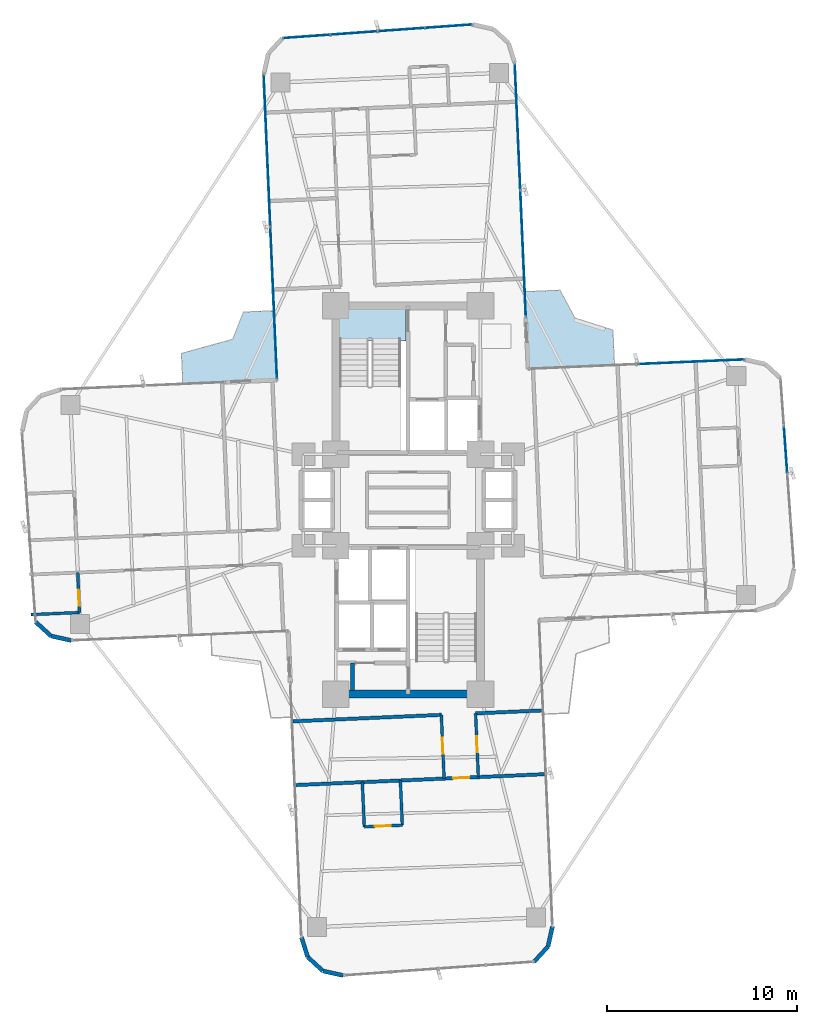
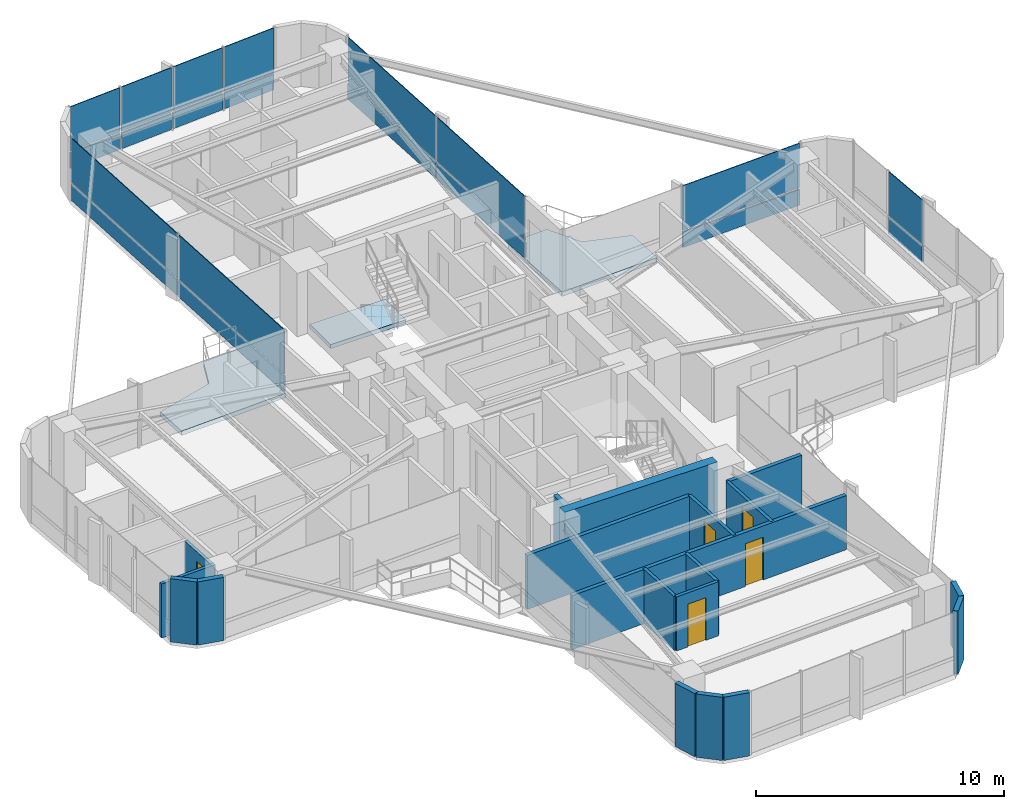
# One storey, part 22 of 26: 20 plates, 19 walls, 5 doors, 3 slabs, 5 openings, 5 elements without a shape of their own.
"""IFC4 building model written with IfcOpenShell, lengths in metres."""

from ifc_helpers import new_model, si_unit, direction, frame, frame_2d, origin, origin_2d, place, context, subcontext, project, spatial, polyline, rectangle, outline, extrude, source, transform, mapped, material, layer, layer_set, type_object, element, fill, aggregate, save


model = new_model("IFC4")

# Units and contexts
model_context = context("Model", 3, precision=1e-05, world=origin(), true_north=direction((0.0, 1.0)))
body_context = subcontext(model_context, "Body", "Model", "MODEL_VIEW")
ifc_project = project(units=[si_unit("LENGTHUNIT", "METRE"), si_unit("AREAUNIT", "SQUARE_METRE"), si_unit("VOLUMEUNIT", "CUBIC_METRE"), si_unit("PLANEANGLEUNIT", "RADIAN"), si_unit("MASSUNIT", "GRAM", prefix="KILO")], contexts=[model_context])

# Site, building, storey
site_placement = place(None, origin())
site = spatial("IfcSite", under=ifc_project, at=site_placement, CompositionType="ELEMENT")
building_placement = place(site_placement, origin())
building = spatial("IfcBuilding", under=site, at=building_placement, Name="Sahyath Konkavel Grand Hotel", CompositionType="ELEMENT")
storey_placement = place(building_placement, frame((0.0, 0.0, 100.25)))
storey = spatial("IfcBuildingStorey", under=building, at=storey_placement, Name="L27", CompositionType="ELEMENT", Elevation=100.25)

# Slabs
ifc_material_1 = material(Name="Concrete C40/50", Category="concrete")
ifc_layer_1 = layer(ifc_material_1, 0.219970703125)
ifc_layer_set_1 = layer_set([ifc_layer_1], Name="Concrete C40/50")
slab_type_1 = type_object("IfcSlabType", Name="SLB-BALCONY-220", PredefinedType="FLOOR", material=ifc_layer_set_1)
slab_1_placement = place(storey_placement, frame((0.0, 0.0, -0.219970703125)))
element("IfcSlab", 1, at=slab_1_placement, inside=storey, type_object=slab_type_1, Name="L27 Winter-Garden Balcony NE", PredefinedType="FLOOR", context=body_context, shape_type="SweptSolid", body=[
    extrude(outline(polyline([(6.305908203125, 6.881591796875), (10.83837890625, 7.07958984375), (10.7578125, 8.926025390625), (8.75830078125, 9.55810546875), (7.97509765625, 11.021484375), (6.128662109375, 10.940673828125), (6.305908203125, 6.881591796875)])), origin(), (0.0, 0.0, 1.0), 0.219970703125),
])
slab_2_placement = place(storey_placement, frame((0.0, 0.0, -0.219970703125)))
element("IfcSlab", 2, at=slab_2_placement, inside=storey, type_object=slab_type_1, Name="L27 Winter-Garden Balcony NW", PredefinedType="FLOOR", context=body_context, shape_type="SweptSolid", body=[
    extrude(outline(polyline([(-6.881591796875, 6.305908203125), (-7.040283203125, 9.943359375), (-8.648681640625, 9.873046875), (-9.212890625, 8.442138671875), (-11.906005859375, 7.697998046875), (-11.8359375, 6.089599609375), (-6.881591796875, 6.305908203125)])), origin(), (0.0, 0.0, 1.0), 0.219970703125),
])
ifc_layer_2 = layer(ifc_material_1, 0.199951171875)
ifc_layer_set_2 = layer_set([ifc_layer_2], Name="Concrete C40/50")
slab_type_2 = type_object("IfcSlabType", Name="SLB-STAIR-LND", PredefinedType="LANDING", material=ifc_layer_set_2)
slab_3_placement = place(storey_placement, frame((0.0, 0.0, -0.199951171875)))
element("IfcSlab", 3, at=slab_3_placement, inside=storey, type_object=slab_type_2, Name="L27 Stair ST-1 Floor Landing Slab", PredefinedType="LANDING", context=body_context, shape_type="SweptSolid", body=[
    extrude(outline(polyline([(-3.6201171875, 8.35009765625), (-0.10009765625, 8.35009765625), (-0.10009765625, 10.02001953125), (-3.6201171875, 10.02001953125), (-3.6201171875, 8.35009765625)])), origin(), (0.0, 0.0, 1.0), 0.199951171875),
])

# Curtain wall, plate
ifc_material_2 = material(Name="Anodised Bronze Aluminium & Low-E Glazing", Category="aluminium")
curtain_wall_type = type_object("IfcCurtainWallType", Name="CW-ZONE2", PredefinedType="NOTDEFINED", material=ifc_material_2)
curtain_wall_1_placement = place(storey_placement, origin())
curtain_wall_1 = element("IfcCurtainWall", 4, at=curtain_wall_1_placement, inside=storey, type_object=curtain_wall_type, Name="L27 Unitised Curtain Wall F4", PredefinedType="NOTDEFINED")
ifc_material_3 = material(Name="Warm Buff Sandstone Cladding", Category="masonry")
ifc_layer_3 = layer(ifc_material_3, 0.074951171875)
ifc_layer_set_3 = layer_set([ifc_layer_3], Name="Warm Buff Sandstone Cladding")
plate_type_1 = type_object("IfcPlateType", Name="PNL-SPANDREL-STONE", PredefinedType="SHEET", material=ifc_layer_set_3)
shared_shape_1 = source(origin(), body_context, "Body", "SweptSolid", [
    extrude(rectangle(XDim=2.41357421875, YDim=0.074951171875, at=origin_2d()), origin(), (0.0, 0.0, 1.0), 0.77001953125),
])
plate_1_placement = place(storey_placement, frame((19.828369140625, 2.638671875, 0.0400390625), z_axis=(0.0, 0.0, 1.0), x_axis=(-0.071567078661, 0.997435789037, 0.0)))
plate_1 = element("IfcPlate", 5, at=plate_1_placement, type_object=plate_type_1, Name="L27 Sandstone Relief Spandrel Panel F4-2", PredefinedType="SHEET", context=body_context, shape_type="MappedRepresentation", body=[
    mapped(shared_shape_1, transform((0.0, 0.0, 0.0), scale=1.0)),
])

# Curtain wall, plates
curtain_wall_2_placement = place(storey_placement, origin())
curtain_wall_2 = element("IfcCurtainWall", 6, at=curtain_wall_2_placement, inside=storey, type_object=curtain_wall_type, Name="L27 Unitised Curtain Wall F12", PredefinedType="NOTDEFINED")
plate_2_placement = place(storey_placement, frame((2.130615234375, 24.880615234375, 0.0400390625), z_axis=(0.0, 0.0, 1.0), x_axis=(-0.997435789037, -0.071567078661, 0.0)))
plate_2 = element("IfcPlate", 7, at=plate_2_placement, type_object=plate_type_1, Name="L27 Sandstone Relief Spandrel Panel F12-0", PredefinedType="SHEET", context=body_context, shape_type="MappedRepresentation", body=[
    mapped(shared_shape_1, transform((0.0, 0.0, 0.0), scale=1.0)),
])
plate_3_placement = place(storey_placement, frame((-0.356689453125, 24.7021484375, 0.0400390625), z_axis=(0.0, 0.0, 1.0), x_axis=(-0.997435789037, -0.071567078661, 0.0)))
plate_3 = element("IfcPlate", 8, at=plate_3_placement, type_object=plate_type_1, Name="L27 Sandstone Relief Spandrel Panel F12-1", PredefinedType="SHEET", context=body_context, shape_type="MappedRepresentation", body=[
    mapped(shared_shape_1, transform((0.0, 0.0, 0.0), scale=1.0)),
])
plate_4_placement = place(storey_placement, frame((-2.84375, 24.523681640625, 0.0400390625), z_axis=(0.0, 0.0, 1.0), x_axis=(-0.997435789037, -0.071567078661, 0.0)))
plate_4 = element("IfcPlate", 9, at=plate_4_placement, type_object=plate_type_1, Name="L27 Sandstone Relief Spandrel Panel F12-2", PredefinedType="SHEET", context=body_context, shape_type="MappedRepresentation", body=[
    mapped(shared_shape_1, transform((0.0, 0.0, 0.0), scale=1.0)),
])
plate_5_placement = place(storey_placement, frame((-5.330810546875, 24.34521484375, 0.0400390625), z_axis=(0.0, 0.0, 1.0), x_axis=(-0.997435789037, -0.071567078661, 0.0)))
plate_5 = element("IfcPlate", 10, at=plate_5_placement, type_object=plate_type_1, Name="L27 Sandstone Relief Spandrel Panel F12-3", PredefinedType="SHEET", context=body_context, shape_type="MappedRepresentation", body=[
    mapped(shared_shape_1, transform((0.0, 0.0, 0.0), scale=1.0)),
])

# Curtain wall, plate
curtain_wall_3_placement = place(storey_placement, origin())
curtain_wall_3 = element("IfcCurtainWall", 11, at=curtain_wall_3_placement, inside=storey, type_object=curtain_wall_type, Name="L27 Unitised Curtain Wall F7", PredefinedType="NOTDEFINED")
shared_shape_2 = source(origin(), body_context, "Body", "SweptSolid", [
    extrude(rectangle(XDim=5.580078125, YDim=0.074951171875, at=origin_2d()), origin(), (0.0, 0.0, 1.0), 0.77001953125),
])
plate_6_placement = place(storey_placement, frame((14.82763671875, 7.25390625, 0.0400390625), z_axis=(0.0, 0.0, 1.0), x_axis=(-0.999048221582, -0.043619387365, 0.0)))
plate_6 = element("IfcPlate", 12, at=plate_6_placement, type_object=plate_type_1, Name="L27 Sandstone Relief Spandrel Panel F7-0", PredefinedType="SHEET", context=body_context, shape_type="MappedRepresentation", body=[
    mapped(shared_shape_2, transform((0.0, 0.0, 0.0), scale=1.0)),
])

# Curtain wall, plates
curtain_wall_4_placement = place(storey_placement, origin())
curtain_wall_4 = element("IfcCurtainWall", 13, at=curtain_wall_4_placement, inside=storey, type_object=curtain_wall_type, Name="L27 Unitised Curtain Wall F8", PredefinedType="NOTDEFINED")
shared_shape_3 = source(origin(), body_context, "Body", "SweptSolid", [
    extrude(rectangle(XDim=6.580078125, YDim=0.074951171875, at=origin_2d()), origin(), (0.0, 0.0, 1.0), 0.77001953125),
])
plate_7_placement = place(storey_placement, frame((6.041015625, 12.94580078125, 0.0400390625), z_axis=(0.0, 0.0, 1.0), x_axis=(-0.043619387365, 0.999048221582, 0.0)))
plate_7 = element("IfcPlate", 14, at=plate_7_placement, type_object=plate_type_1, Name="L27 Sandstone Relief Spandrel Panel F8-0", PredefinedType="SHEET", context=body_context, shape_type="MappedRepresentation", body=[
    mapped(shared_shape_3, transform((0.0, 0.0, 0.0), scale=1.0)),
])
plate_8_placement = place(storey_placement, frame((5.75048828125, 19.599609375, 0.0400390625), z_axis=(0.0, 0.0, 1.0), x_axis=(-0.043619387365, 0.999048221582, 0.0)))
plate_8 = element("IfcPlate", 15, at=plate_8_placement, type_object=plate_type_1, Name="L27 Sandstone Relief Spandrel Panel F8-1", PredefinedType="SHEET", context=body_context, shape_type="MappedRepresentation", body=[
    mapped(shared_shape_3, transform((0.0, 0.0, 0.0), scale=1.0)),
])

curtain_wall_5_placement = place(storey_placement, origin())
curtain_wall_5 = element("IfcCurtainWall", 16, at=curtain_wall_5_placement, inside=storey, type_object=curtain_wall_type, Name="L27 Unitised Curtain Wall F15", PredefinedType="NOTDEFINED")
shared_shape_4 = source(origin(), body_context, "Body", "SweptSolid", [
    extrude(rectangle(XDim=7.929931640625, YDim=0.074951171875, at=origin_2d()), origin(), (0.0, 0.0, 1.0), 0.77001953125),
])
plate_9_placement = place(storey_placement, frame((-7.407470703125, 18.349365234375, 0.0400390625), z_axis=(0.0, 0.0, 1.0), x_axis=(0.043619387365, -0.999048221582, 0.0)))
plate_9 = element("IfcPlate", 17, at=plate_9_placement, type_object=plate_type_1, Name="L27 Sandstone Relief Spandrel Panel F15-0", PredefinedType="SHEET", context=body_context, shape_type="MappedRepresentation", body=[
    mapped(shared_shape_4, transform((0.0, 0.0, 0.0), scale=1.0)),
])
plate_10_placement = place(storey_placement, frame((-7.05810546875, 10.346923828125, 0.0400390625), z_axis=(0.0, 0.0, 1.0), x_axis=(0.043619387365, -0.999048221582, 0.0)))
plate_10 = element("IfcPlate", 18, at=plate_10_placement, type_object=plate_type_1, Name="L27 Sandstone Relief Spandrel Panel F15-1", PredefinedType="SHEET", context=body_context, shape_type="MappedRepresentation", body=[
    mapped(shared_shape_4, transform((0.0, 0.0, 0.0), scale=1.0)),
])

# Plate
ifc_material_4 = material(Name="Low-E Solar Control Double Glazing", Category="glass")
ifc_layer_4 = layer(ifc_material_4, 0.035888671875)
ifc_layer_set_4 = layer_set([ifc_layer_4], Name="Low-E Solar Control Double Glazing")
plate_type_2 = type_object("IfcPlateType", Name="PNL-VISION-LOWE", PredefinedType="CURTAIN_PANEL", material=ifc_layer_set_4)
shared_shape_5 = source(origin(), body_context, "Body", "SweptSolid", [
    extrude(rectangle(XDim=2.41357421875, YDim=0.035888671875, at=origin_2d()), origin(), (0.0, 0.0, 1.0), 2.179931640625),
])
plate_11_placement = place(storey_placement, frame((19.828369140625, 2.638671875, 0.89013671875), z_axis=(0.0, 0.0, 1.0), x_axis=(-0.071567078661, 0.997435789037, 0.0)))
plate_11 = element("IfcPlate", 19, at=plate_11_placement, type_object=plate_type_2, Name="L27 Low-E Vision Glazing Panel F4-2", PredefinedType="CURTAIN_PANEL", context=body_context, shape_type="MappedRepresentation", body=[
    mapped(shared_shape_5, transform((0.0, 0.0, 0.0), scale=1.0)),
])

aggregate(curtain_wall_1, [plate_1, plate_11])

plate_12_placement = place(storey_placement, frame((2.130615234375, 24.880615234375, 0.89013671875), z_axis=(0.0, 0.0, 1.0), x_axis=(-0.997435789037, -0.071567078661, 0.0)))
plate_12 = element("IfcPlate", 20, at=plate_12_placement, type_object=plate_type_2, Name="L27 Low-E Vision Glazing Panel F12-0", PredefinedType="CURTAIN_PANEL", context=body_context, shape_type="MappedRepresentation", body=[
    mapped(shared_shape_5, transform((0.0, 0.0, 0.0), scale=1.0)),
])

plate_13_placement = place(storey_placement, frame((-0.356689453125, 24.7021484375, 0.89013671875), z_axis=(0.0, 0.0, 1.0), x_axis=(-0.997435789037, -0.071567078661, 0.0)))
plate_13 = element("IfcPlate", 21, at=plate_13_placement, type_object=plate_type_2, Name="L27 Low-E Vision Glazing Panel F12-1", PredefinedType="CURTAIN_PANEL", context=body_context, shape_type="MappedRepresentation", body=[
    mapped(shared_shape_5, transform((0.0, 0.0, 0.0), scale=1.0)),
])

plate_14_placement = place(storey_placement, frame((-2.84375, 24.523681640625, 0.89013671875), z_axis=(0.0, 0.0, 1.0), x_axis=(-0.997435789037, -0.071567078661, 0.0)))
plate_14 = element("IfcPlate", 22, at=plate_14_placement, type_object=plate_type_2, Name="L27 Low-E Vision Glazing Panel F12-2", PredefinedType="CURTAIN_PANEL", context=body_context, shape_type="MappedRepresentation", body=[
    mapped(shared_shape_5, transform((0.0, 0.0, 0.0), scale=1.0)),
])

plate_15_placement = place(storey_placement, frame((-5.330810546875, 24.34521484375, 0.89013671875), z_axis=(0.0, 0.0, 1.0), x_axis=(-0.997435789037, -0.071567078661, 0.0)))
plate_15 = element("IfcPlate", 23, at=plate_15_placement, type_object=plate_type_2, Name="L27 Low-E Vision Glazing Panel F12-3", PredefinedType="CURTAIN_PANEL", context=body_context, shape_type="MappedRepresentation", body=[
    mapped(shared_shape_5, transform((0.0, 0.0, 0.0), scale=1.0)),
])

aggregate(curtain_wall_2, [plate_2, plate_12, plate_3, plate_13, plate_4, plate_14, plate_5, plate_15])

shared_shape_6 = source(origin(), body_context, "Body", "SweptSolid", [
    extrude(rectangle(XDim=5.580078125, YDim=0.035888671875, at=origin_2d()), origin(), (0.0, 0.0, 1.0), 2.179931640625),
])
plate_16_placement = place(storey_placement, frame((14.82763671875, 7.25390625, 0.89013671875), z_axis=(0.0, 0.0, 1.0), x_axis=(-0.999048221582, -0.043619387365, 0.0)))
plate_16 = element("IfcPlate", 24, at=plate_16_placement, type_object=plate_type_2, Name="L27 Low-E Vision Glazing Panel F7-0", PredefinedType="CURTAIN_PANEL", context=body_context, shape_type="MappedRepresentation", body=[
    mapped(shared_shape_6, transform((0.0, 0.0, 0.0), scale=1.0)),
])

aggregate(curtain_wall_3, [plate_6, plate_16])

shared_shape_7 = source(origin(), body_context, "Body", "SweptSolid", [
    extrude(rectangle(XDim=6.580078125, YDim=0.035888671875, at=origin_2d()), origin(), (0.0, 0.0, 1.0), 2.179931640625),
])
plate_17_placement = place(storey_placement, frame((6.041015625, 12.94580078125, 0.89013671875), z_axis=(0.0, 0.0, 1.0), x_axis=(-0.043619387365, 0.999048221582, 0.0)))
plate_17 = element("IfcPlate", 25, at=plate_17_placement, type_object=plate_type_2, Name="L27 Low-E Vision Glazing Panel F8-0", PredefinedType="CURTAIN_PANEL", context=body_context, shape_type="MappedRepresentation", body=[
    mapped(shared_shape_7, transform((0.0, 0.0, 0.0), scale=1.0)),
])

plate_18_placement = place(storey_placement, frame((5.75048828125, 19.599609375, 0.89013671875), z_axis=(0.0, 0.0, 1.0), x_axis=(-0.043619387365, 0.999048221582, 0.0)))
plate_18 = element("IfcPlate", 26, at=plate_18_placement, type_object=plate_type_2, Name="L27 Low-E Vision Glazing Panel F8-1", PredefinedType="CURTAIN_PANEL", context=body_context, shape_type="MappedRepresentation", body=[
    mapped(shared_shape_7, transform((0.0, 0.0, 0.0), scale=1.0)),
])

aggregate(curtain_wall_4, [plate_7, plate_17, plate_8, plate_18])

shared_shape_8 = source(origin(), body_context, "Body", "SweptSolid", [
    extrude(rectangle(XDim=7.929931640625, YDim=0.035888671875, at=origin_2d()), origin(), (0.0, 0.0, 1.0), 2.179931640625),
])
plate_19_placement = place(storey_placement, frame((-7.407470703125, 18.349365234375, 0.89013671875), z_axis=(0.0, 0.0, 1.0), x_axis=(0.043619387365, -0.999048221582, 0.0)))
plate_19 = element("IfcPlate", 27, at=plate_19_placement, type_object=plate_type_2, Name="L27 Low-E Vision Glazing Panel F15-0", PredefinedType="CURTAIN_PANEL", context=body_context, shape_type="MappedRepresentation", body=[
    mapped(shared_shape_8, transform((0.0, 0.0, 0.0), scale=1.0)),
])

plate_20_placement = place(storey_placement, frame((-7.05810546875, 10.346923828125, 0.89013671875), z_axis=(0.0, 0.0, 1.0), x_axis=(0.043619387365, -0.999048221582, 0.0)))
plate_20 = element("IfcPlate", 28, at=plate_20_placement, type_object=plate_type_2, Name="L27 Low-E Vision Glazing Panel F15-1", PredefinedType="CURTAIN_PANEL", context=body_context, shape_type="MappedRepresentation", body=[
    mapped(shared_shape_8, transform((0.0, 0.0, 0.0), scale=1.0)),
])

aggregate(curtain_wall_5, [plate_9, plate_19, plate_10, plate_20])

# Walls
ifc_material_5 = material(Name="Concrete C50/60", Category="concrete")
ifc_layer_5 = layer(ifc_material_5, 0.419921875)
ifc_layer_set_5 = layer_set([ifc_layer_5], Name="Concrete C50/60")
wall_type_1 = type_object("IfcWallType", Name="CWALL-420", PredefinedType="SHEAR", material=ifc_layer_set_5)
wall_1_placement = place(storey_placement, frame((-3.550048828125, -10.199951171875, 0.0), z_axis=(0.0, 0.0, 1.0), x_axis=(1.0, 0.0, 0.0)))
element("IfcWall", 29, at=wall_1_placement, inside=storey, type_object=wall_type_1, Name="L27 South Core Shear Wall S", PredefinedType="SHEAR", context=body_context, shape_type="SweptSolid", body=[
    extrude(rectangle(XDim=7.10009765625, YDim=0.419921875, at=frame_2d((3.550048828125, 0.0))), origin(), (0.0, 0.0, 1.0), 3.110107421875),
])
ifc_material_6 = material(Name="Warm Buff Sandstone Insulated Concrete C40/50", Category="masonry")
ifc_layer_6 = layer(ifc_material_6, 0.219970703125)
ifc_layer_set_6 = layer_set([ifc_layer_6], Name="Warm Buff Sandstone Insulated Concrete C40/50")
wall_type_2 = type_object("IfcWallType", Name="WLL-BALC-THRESH", PredefinedType="STANDARD", material=ifc_layer_set_6)
wall_2_placement = place(storey_placement, frame((-19.5576171875, -6.4091796875, 0.0), z_axis=(0.0, 0.0, 1.0), x_axis=(0.737210081318, -0.675663596772, 0.0)))
element("IfcWall", 30, at=wall_2_placement, inside=storey, type_object=wall_type_2, Name="L27 Rounded Corner Sandstone Pier 21", PredefinedType="STANDARD", context=body_context, shape_type="SweptSolid", body=[
    extrude(rectangle(XDim=1.0869140625, YDim=0.219970703125, at=frame_2d((0.54345703125, 0.0))), origin(), (0.0, 0.0, 1.0), 3.110107421875),
])
wall_3_placement = place(storey_placement, frame((-18.75634765625, -7.1435546875, 0.0), z_axis=(0.0, 0.0, 1.0), x_axis=(0.976282085775, -0.216502399514, 0.0)))
element("IfcWall", 31, at=wall_3_placement, inside=storey, type_object=wall_type_2, Name="L27 Rounded Corner Sandstone Pier 22", PredefinedType="STANDARD", context=body_context, shape_type="SweptSolid", body=[
    extrude(rectangle(XDim=1.087158203125, YDim=0.219970703125, at=frame_2d((0.54345703125, 0.0))), origin(), (0.0, 0.0, 1.0), 3.110107421875),
])
wall_4_placement = place(storey_placement, frame((-5.603515625, -22.96630859375, 0.0), z_axis=(0.0, 0.0, 1.0), x_axis=(0.300755105707, -0.953701403161, 0.0)))
element("IfcWall", 32, at=wall_4_placement, inside=storey, type_object=wall_type_2, Name="L27 Rounded Corner Sandstone Pier 25", PredefinedType="STANDARD", context=body_context, shape_type="SweptSolid", body=[
    extrude(rectangle(XDim=1.0869140625, YDim=0.219970703125, at=frame_2d((0.54345703125, 0.0))), origin(), (0.0, 0.0, 1.0), 3.110107421875),
])
wall_5_placement = place(storey_placement, frame((-5.276611328125, -24.0029296875, 0.0), z_axis=(0.0, 0.0, 1.0), x_axis=(0.737312600672, -0.675551721847, 0.0)))
element("IfcWall", 33, at=wall_5_placement, inside=storey, type_object=wall_type_2, Name="L27 Rounded Corner Sandstone Pier 26", PredefinedType="STANDARD", context=body_context, shape_type="SweptSolid", body=[
    extrude(rectangle(XDim=1.087158203125, YDim=0.219970703125, at=frame_2d((0.54345703125, 0.0))), origin(), (0.0, 0.0, 1.0), 3.110107421875),
])
for number, where, z_axis, x_axis, name in (
    (34, (-4.47509765625, -24.7373046875, 0.0), (0.0, 0.0, 1.0), (0.976271555154, -0.216549880158, 0.0), "L27 Rounded Corner Sandstone Pier 27"),
    (35, (6.6142578125, -24.253173828125, 0.0), (0.0, 0.0, 1.0), (0.675663596772, 0.737210081318, 0.0), "L27 Rounded Corner Sandstone Pier 29"),
):
    element("IfcWall", number, at=place(storey_placement, frame(where, z_axis=z_axis, x_axis=x_axis)), inside=storey, type_object=wall_type_2, Name=name, PredefinedType="STANDARD", context=body_context, shape_type="SweptSolid", body=[
        extrude(rectangle(XDim=1.0869140625, YDim=0.219970703125, at=frame_2d((0.54345703125, 0.0))), origin(), (0.0, 0.0, 1.0), 3.110107421875),
    ])
wall_6_placement = place(storey_placement, frame((7.3486328125, -23.451904296875, 0.0), z_axis=(0.0, 0.0, 1.0), x_axis=(0.216454939174, 0.976292609471, 0.0)))
element("IfcWall", 36, at=wall_6_placement, inside=storey, type_object=wall_type_2, Name="L27 Rounded Corner Sandstone Pier 30", PredefinedType="STANDARD", context=body_context, shape_type="SweptSolid", body=[
    extrude(rectangle(XDim=1.08740234375, YDim=0.219970703125, at=frame_2d((0.543701171875, 0.0))), origin(), (0.0, 0.0, 1.0), 3.110107421875),
])
ifc_layer_7 = layer(ifc_material_1, 0.199951171875)
ifc_layer_set_7 = layer_set([ifc_layer_7], Name="Concrete C40/50")
wall_type_3 = type_object("IfcWallType", Name="WLL-CORE-200", PredefinedType="SOLIDWALL", material=ifc_layer_set_7)
wall_7_placement = place(storey_placement, frame((-2.919921875, -10.0, 0.0), z_axis=(0.0, 0.0, 1.0), x_axis=(0.0, 1.0, 0.0)))
element("IfcWall", 37, at=wall_7_placement, inside=storey, type_object=wall_type_3, Name="L27 Partition SFF-W2", PredefinedType="SOLIDWALL", context=body_context, shape_type="SweptSolid", body=[
    extrude(rectangle(XDim=1.43994140625, YDim=0.199951171875, at=frame_2d((0.719970703125, 0.0))), origin(), (0.0, 0.0, 1.0), 2.659912109375),
])
ifc_material_7 = material(Name="Twin-Stud Acoustic Gypsum Plasterboard Partition")
ifc_layer_8 = layer(ifc_material_7, 0.179931640625)
ifc_layer_set_8 = layer_set([ifc_layer_8], Name="Twin-Stud Acoustic Gypsum Plasterboard Partition")
wall_type_4 = type_object("IfcWallType", Name="WLL-DEMISE-180", PredefinedType="PARTITIONING", material=ifc_layer_set_8)
wall_8_placement = place(storey_placement, frame((3.542236328125, -11.206298828125, 0.0), z_axis=(0.0, 0.0, 1.0), x_axis=(0.999046129111, 0.04366728647, 0.0)))
element("IfcWall", 38, at=wall_8_placement, inside=storey, type_object=wall_type_4, Name="L27 Partition S-INL", PredefinedType="PARTITIONING", context=body_context, shape_type="SweptSolid", body=[
    extrude(rectangle(XDim=3.5, YDim=0.179931640625, at=frame_2d((1.75, 0.0))), origin(), (0.0, 0.0, 1.0), 2.659912109375),
])
wall_9_placement = place(storey_placement, frame((-6.048583984375, -11.625, 0.0), z_axis=(0.0, 0.0, 1.0), x_axis=(0.999047634936, 0.043632821702, 0.0)))
element("IfcWall", 39, at=wall_9_placement, inside=storey, type_object=wall_type_4, Name="L27 Partition S-INR", PredefinedType="PARTITIONING", context=body_context, shape_type="SweptSolid", body=[
    extrude(rectangle(XDim=7.7998046875, YDim=0.179931640625, at=frame_2d((3.89990234375, 0.0))), origin(), (0.0, 0.0, 1.0), 2.659912109375),
])

# Wall, opening, door
wall_10_placement = place(storey_placement, frame((-5.902587890625, -14.9716796875, 0.0), z_axis=(0.0, 0.0, 1.0), x_axis=(0.999048653727, 0.043609488494, 0.0)))
wall_10 = element("IfcWall", 40, at=wall_10_placement, inside=storey, type_object=wall_type_4, Name="L27 Partition S-STIP-END", PredefinedType="PARTITIONING", context=body_context, shape_type="SweptSolid", body=[
    extrude(rectangle(XDim=13.10009765625, YDim=0.179931640625, at=frame_2d((6.550048828125, 0.0))), origin(), (0.0, 0.0, 1.0), 2.659912109375),
])
opening_1_placement = place(wall_10_placement, frame((8.27490234375, 0.0, 0.0)))
opening_1 = element("IfcOpeningElement", 41, at=opening_1_placement, cuts=wall_10, Name="Opening D-F06D", PredefinedType="OPENING", context=body_context, shape_type="SweptSolid", body=[
    extrude(rectangle(XDim=0.85009765625, YDim=2.10009765625, at=frame_2d((0.425048828125, 1.050048828125))), frame((0.0, 0.10009765625, 0.0), z_axis=(0.0, -1.0, 0.0), x_axis=(1.0, 0.0, 0.0)), (0.0, 0.0, 1.0), 0.199951171875),
])
ifc_material_8 = material(Name="Fire-Rated Shaft Access Door")
door_type_1 = type_object("IfcDoorType", Name="DR-FD60-850", OperationType="NOTDEFINED", PredefinedType="DOOR", material=ifc_material_8)
shared_shape_9 = source(origin(), body_context, "Body", "SweptSolid", [
    extrude(rectangle(XDim=0.85009765625, YDim=0.050048828125, at=origin_2d()), origin(), (0.0, 0.0, 1.0), 2.10009765625),
])
door_1_placement = place(opening_1_placement, frame((0.425048828125, 0.0, 0.0)))
door_1 = element("IfcDoor", 42, at=door_1_placement, inside=storey, type_object=door_type_1, Name="L27 Door S-STIP-ED", OperationType="SINGLE_SWING_LEFT", OverallHeight=2.10009765625, OverallWidth=0.85009765625, PredefinedType="DOOR", context=body_context, shape_type="MappedRepresentation", body=[
    mapped(shared_shape_9, transform((0.0, 0.0, 0.0), scale=1.0)),
])
fill(opening_1, door_1)

ifc_material_9 = material(Name="Fire-Rated Gypsum Plasterboard Partition")
ifc_layer_9 = layer(ifc_material_9, 0.14990234375)
ifc_layer_set_9 = layer_set([ifc_layer_9], Name="Fire-Rated Gypsum Plasterboard Partition")
wall_type_5 = type_object("IfcWallType", Name="WLL-PART-150", PredefinedType="PARTITIONING", material=ifc_layer_set_9)
wall_11_placement = place(storey_placement, frame((-17.350341796875, -3.810302734375, 0.0), z_axis=(0.0, 0.0, 1.0), x_axis=(0.043593612401, -0.999049346608, 0.0)))
wall_11 = element("IfcWall", 43, at=wall_11_placement, inside=storey, type_object=wall_type_5, Name="L27 Partition W-W2L-BS", PredefinedType="PARTITIONING", context=body_context, shape_type="SweptSolid", body=[
    extrude(rectangle(XDim=2.10009765625, YDim=0.14990234375, at=frame_2d((1.050048828125, 0.0))), origin(), (0.0, 0.0, 1.0), 2.580078125),
])
opening_2_placement = place(wall_11_placement, frame((0.89990234375, 0.0, 0.0)))
opening_2 = element("IfcOpeningElement", 44, at=opening_2_placement, cuts=wall_11, Name="Opening D-BT85", PredefinedType="OPENING", context=body_context, shape_type="SweptSolid", body=[
    extrude(rectangle(XDim=0.85009765625, YDim=2.10009765625, at=frame_2d((0.425048828125, 1.050048828125))), frame((0.0, 0.0849609375, 0.0), z_axis=(0.0, -1.0, 0.0), x_axis=(1.0, 0.0, 0.0)), (0.0, 0.0, 1.0), 0.169921875),
])
ifc_material_10 = material(Name="Moisture-Resistant Teak Bathroom Door")
door_type_2 = type_object("IfcDoorType", Name="DR-BATH-850", OperationType="NOTDEFINED", PredefinedType="DOOR", material=ifc_material_10)
door_2_placement = place(opening_2_placement, frame((0.425048828125, 0.0, 0.0)))
door_2 = element("IfcDoor", 45, at=door_2_placement, inside=storey, type_object=door_type_2, Name="L27 Door W-W2L-BD", OperationType="SINGLE_SWING_LEFT", OverallHeight=2.10009765625, OverallWidth=0.85009765625, PredefinedType="DOOR", context=body_context, shape_type="MappedRepresentation", body=[
    mapped(shared_shape_9, transform((0.0, 0.0, 0.0), scale=1.0)),
])
fill(opening_2, door_2)

# Wall
wall_12_placement = place(storey_placement, frame((-17.2587890625, -5.908447265625, 0.0), z_axis=(0.0, 0.0, 1.0), x_axis=(-0.999046560091, -0.043657425146, 0.0)))
element("IfcWall", 46, at=wall_12_placement, inside=storey, type_object=wall_type_5, Name="L27 Partition W-W2L-BF", PredefinedType="PARTITIONING", context=body_context, shape_type="SweptSolid", body=[
    extrude(rectangle(XDim=2.550048828125, YDim=0.14990234375, at=frame_2d((1.27490234375, 0.0))), origin(), (0.0, 0.0, 1.0), 2.659912109375),
])

# Wall, opening, door
wall_13_placement = place(storey_placement, frame((3.542236328125, -11.206298828125, 0.0), z_axis=(0.0, 0.0, 1.0), x_axis=(0.043582710367, -0.99904982226, 0.0)))
wall_13 = element("IfcWall", 47, at=wall_13_placement, inside=storey, type_object=wall_type_5, Name="L27 Partition S-CL", PredefinedType="PARTITIONING", context=body_context, shape_type="SweptSolid", body=[
    extrude(rectangle(XDim=3.349853515625, YDim=0.14990234375, at=frame_2d((1.6748046875, 0.0))), origin(), (0.0, 0.0, 1.0), 2.659912109375),
])
opening_3_placement = place(wall_13_placement, frame((1.199951171875, 0.0, 0.0)))
opening_3 = element("IfcOpeningElement", 48, at=opening_3_placement, cuts=wall_13, Name="Opening D-F06D", PredefinedType="OPENING", context=body_context, shape_type="SweptSolid", body=[
    extrude(rectangle(XDim=0.85009765625, YDim=2.10009765625, at=frame_2d((0.425048828125, 1.050048828125))), frame((0.0, 0.0849609375, 0.0), z_axis=(0.0, -1.0, 0.0), x_axis=(1.0, 0.0, 0.0)), (0.0, 0.0, 1.0), 0.169921875),
])
door_3_placement = place(opening_3_placement, frame((0.425048828125, 0.0, 0.0)))
door_3 = element("IfcDoor", 49, at=door_3_placement, inside=storey, type_object=door_type_1, Name="L27 Door S-SS3L-D", OperationType="SINGLE_SWING_RIGHT", OverallHeight=2.10009765625, OverallWidth=0.85009765625, PredefinedType="DOOR", context=body_context, shape_type="MappedRepresentation", body=[
    mapped(shared_shape_9, transform((0.0, 0.0, 0.0), scale=1.0)),
])
fill(opening_3, door_3)

wall_14_placement = place(storey_placement, frame((1.743896484375, -11.28466796875, 0.0), z_axis=(0.0, 0.0, 1.0), x_axis=(0.043579537274, -0.999049960678, 0.0)))
wall_14 = element("IfcWall", 50, at=wall_14_placement, inside=storey, type_object=wall_type_5, Name="L27 Partition S-CR", PredefinedType="PARTITIONING", context=body_context, shape_type="SweptSolid", body=[
    extrude(rectangle(XDim=3.35009765625, YDim=0.14990234375, at=frame_2d((1.675048828125, 0.0))), origin(), (0.0, 0.0, 1.0), 2.659912109375),
])
opening_4_placement = place(wall_14_placement, frame((1.199951171875, 0.0, 0.0)))
opening_4 = element("IfcOpeningElement", 51, at=opening_4_placement, cuts=wall_14, Name="Opening D-F06D", PredefinedType="OPENING", context=body_context, shape_type="SweptSolid", body=[
    extrude(rectangle(XDim=0.85009765625, YDim=2.10009765625, at=frame_2d((0.425048828125, 1.050048828125))), frame((0.0, 0.0849609375, 0.0), z_axis=(0.0, -1.0, 0.0), x_axis=(1.0, 0.0, 0.0)), (0.0, 0.0, 1.0), 0.169921875),
])
door_4_placement = place(opening_4_placement, frame((0.425048828125, 0.0, 0.0)))
door_4 = element("IfcDoor", 52, at=door_4_placement, inside=storey, type_object=door_type_1, Name="L27 Door S-SS3R-D", OperationType="SINGLE_SWING_LEFT", OverallHeight=2.10009765625, OverallWidth=0.85009765625, PredefinedType="DOOR", context=body_context, shape_type="MappedRepresentation", body=[
    mapped(shared_shape_9, transform((0.0, 0.0, 0.0), scale=1.0)),
])
fill(opening_4, door_4)

# Walls
wall_15_placement = place(storey_placement, frame((-0.40771484375, -14.731689453125, 0.0), z_axis=(0.0, 0.0, 1.0), x_axis=(0.043527387554, -0.999052234136, 0.0)))
element("IfcWall", 53, at=wall_15_placement, inside=storey, type_object=wall_type_5, Name="L27 Partition S-STIP-BN", PredefinedType="PARTITIONING", context=body_context, shape_type="SweptSolid", body=[
    extrude(rectangle(XDim=2.35009765625, YDim=0.14990234375, at=frame_2d((1.175048828125, 0.0))), origin(), (0.0, 0.0, 1.0), 2.659912109375),
])
wall_16_placement = place(storey_placement, frame((-2.406005859375, -14.819091796875, 0.0), z_axis=(0.0, 0.0, 1.0), x_axis=(0.04363560271, -0.999047513473, 0.0)))
element("IfcWall", 54, at=wall_16_placement, inside=storey, type_object=wall_type_5, Name="L27 Partition S-STIP-BS", PredefinedType="PARTITIONING", context=body_context, shape_type="SweptSolid", body=[
    extrude(rectangle(XDim=2.349853515625, YDim=0.14990234375, at=frame_2d((1.1748046875, 0.0))), origin(), (0.0, 0.0, 1.0), 2.659912109375),
])

# Wall, opening, door
wall_17_placement = place(storey_placement, frame((-2.303466796875, -17.166748046875, 0.0), z_axis=(0.0, 0.0, 1.0), x_axis=(0.999049929275, 0.043580257179, 0.0)))
wall_17 = element("IfcWall", 55, at=wall_17_placement, inside=storey, type_object=wall_type_5, Name="L27 Partition S-STIP-BE", PredefinedType="PARTITIONING", context=body_context, shape_type="SweptSolid", body=[
    extrude(rectangle(XDim=2.0, YDim=0.14990234375, at=frame_2d((1.0, 0.0))), origin(), (0.0, 0.0, 1.0), 2.659912109375),
])
opening_5_placement = place(wall_17_placement, frame((0.550048828125, 0.0, 0.0)))
opening_5 = element("IfcOpeningElement", 56, at=opening_5_placement, cuts=wall_17, Name="Opening D-BT85", PredefinedType="OPENING", context=body_context, shape_type="SweptSolid", body=[
    extrude(rectangle(XDim=0.85009765625, YDim=2.10009765625, at=frame_2d((0.425048828125, 1.050048828125))), frame((0.0, 0.0849609375, 0.0), z_axis=(0.0, -1.0, 0.0), x_axis=(1.0, 0.0, 0.0)), (0.0, 0.0, 1.0), 0.169921875),
])
door_5_placement = place(opening_5_placement, frame((0.425048828125, 0.0, 0.0)))
door_5 = element("IfcDoor", 57, at=door_5_placement, inside=storey, type_object=door_type_2, Name="L27 Door S-STIP-BD", OperationType="SINGLE_SWING_RIGHT", OverallHeight=2.10009765625, OverallWidth=0.85009765625, PredefinedType="DOOR", context=body_context, shape_type="MappedRepresentation", body=[
    mapped(shared_shape_9, transform((0.0, 0.0, 0.0), scale=1.0)),
])
fill(opening_5, door_5)

save(model, "model.ifc")
